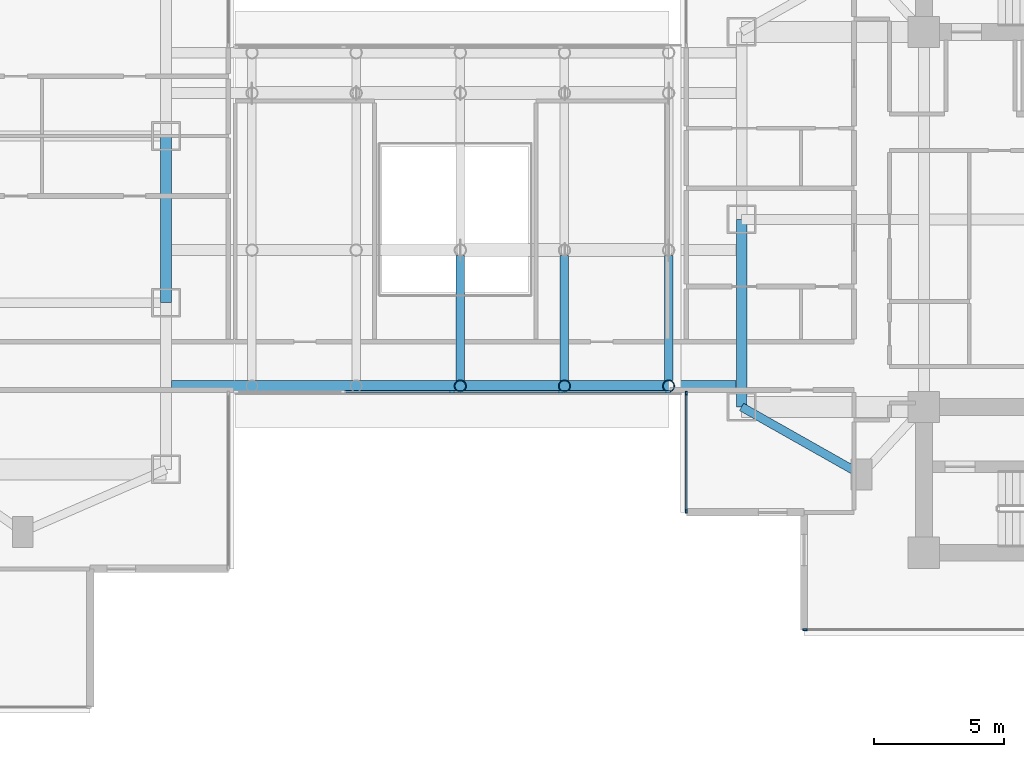
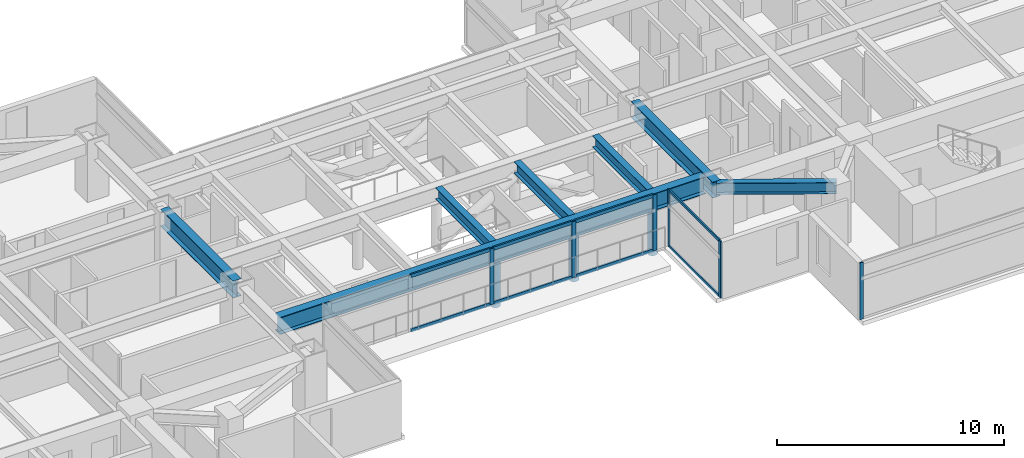
# One storey, part 5 of 27: 17 members, 7 beams, 3 elements without a shape of their own.
"""IFC4 building model written with IfcOpenShell, lengths in metres."""

from ifc_helpers import new_model, si_unit, direction, frame, origin, origin_2d, place, context, subcontext, project, spatial, rectangle, hollow_circle, i_section, extrude, material, material_profile, profile_set, type_object, element, aggregate, save


model = new_model("IFC4")

# Units and contexts
model_context = context("Model", 3, precision=1e-05, world=origin(), true_north=direction((0.0, 1.0)))
body_context = subcontext(model_context, "Body", "Model", "MODEL_VIEW")
ifc_project = project(units=[si_unit("LENGTHUNIT", "METRE"), si_unit("AREAUNIT", "SQUARE_METRE"), si_unit("VOLUMEUNIT", "CUBIC_METRE"), si_unit("PLANEANGLEUNIT", "RADIAN"), si_unit("MASSUNIT", "GRAM", prefix="KILO")], contexts=[model_context])

# Site, building, storey
site_placement = place(None, origin())
site = spatial("IfcSite", under=ifc_project, at=site_placement, CompositionType="ELEMENT")
building_placement = place(site_placement, origin())
building = spatial("IfcBuilding", under=site, at=building_placement, Name="Mirazonda Arch Towers", CompositionType="ELEMENT")
storey_placement = place(building_placement, frame((0.0, 0.0, 95.0)))
storey = spatial("IfcBuildingStorey", under=building, at=storey_placement, Name="L26", CompositionType="ELEMENT", Elevation=95.0)

# Beams
ifc_material_1 = material(Name="Steel ASTM A992 Grade 50", Category="steel")
ifc_material_profile_1 = material_profile(ifc_material_1, i_section(OverallWidth=0.39990234375, OverallDepth=0.85595703125, WebThickness=0.018310546875, FlangeThickness=0.029296875, at=origin_2d()), Name="W33X201")
ifc_profile_set_1 = profile_set([ifc_material_profile_1], Name="Steel ASTM A992 Grade 50")
beam_type_1 = type_object("IfcBeamType", Name="BM-EXT-W33X201", PredefinedType="USERDEFINED", material=ifc_profile_set_1)
beam_1_placement = place(storey_placement, frame((61.0, 20.800048828125, 2.652099609375), z_axis=(0.0, 1.0, 0.0), x_axis=(-1.0, 0.0, 0.0)))
element("IfcBeam", 1, at=beam_1_placement, inside=storey, type_object=beam_type_1, Name="L26 Floor Beam BM-T2-L26-NS-W-20", ObjectType="GIRDER", PredefinedType="USERDEFINED", context=body_context, shape_type="SweptSolid", body=[
    extrude(i_section(OverallWidth=0.39990234375, OverallDepth=0.85595703125, WebThickness=0.018310546875, FlangeThickness=0.029296875, at=origin_2d()), origin(), (0.0, 0.0, 1.0), 7.199951171875),
])
ifc_material_profile_2 = material_profile(ifc_material_1, i_section(OverallWidth=0.41796875, OverallDepth=0.927001953125, WebThickness=0.019287109375, FlangeThickness=0.031982421875, at=origin_2d()), Name="W36X231")
ifc_profile_set_2 = profile_set([ifc_material_profile_2], Name="Steel ASTM A992 Grade 50")
beam_type_2 = type_object("IfcBeamType", Name="BM-EXT-W36X231", PredefinedType="USERDEFINED", material=ifc_profile_set_2)
beam_2_placement = place(storey_placement, frame((38.89990234375, 24.800048828125, 2.616455078125), z_axis=(0.0, 1.0, 0.0), x_axis=(-1.0, 0.0, 0.0)))
element("IfcBeam", 2, at=beam_2_placement, inside=storey, type_object=beam_type_2, Name="L26 Floor Beam BM-T1-L26-NS-E-24", ObjectType="GIRDER", PredefinedType="USERDEFINED", context=body_context, shape_type="SweptSolid", body=[
    extrude(i_section(OverallWidth=0.41796875, OverallDepth=0.927001953125, WebThickness=0.019287109375, FlangeThickness=0.031982421875, at=origin_2d()), origin(), (0.0, 0.0, 1.0), 6.39990234375),
])
beam_3_placement = place(storey_placement, frame((39.10400390625, 21.60009765625, 2.576416015625), z_axis=(1.0, 0.0, 0.0), x_axis=(0.0, 1.0, 0.0)))
element("IfcBeam", 3, at=beam_3_placement, inside=storey, type_object=beam_type_2, Name="L27 Skybridge S Longitudinal Box Girder", ObjectType="GIRDER", PredefinedType="USERDEFINED", context=body_context, shape_type="SweptSolid", body=[
    extrude(i_section(OverallWidth=0.41796875, OverallDepth=0.927001953125, WebThickness=0.019287109375, FlangeThickness=0.031982421875, at=origin_2d()), origin(), (0.0, 0.0, 1.0), 21.69189453125),
])
ifc_material_profile_3 = material_profile(ifc_material_1, i_section(OverallWidth=0.324951171875, OverallDepth=0.615966796875, WebThickness=0.013916015625, FlangeThickness=0.021484375, at=origin_2d()), Name="W24X117")
ifc_profile_set_3 = profile_set([ifc_material_profile_3], Name="Steel ASTM A992 Grade 50")
beam_type_3 = type_object("IfcBeamType", Name="BM-INT-W24X117", PredefinedType="BEAM", material=ifc_profile_set_3)
beam_4_placement = place(storey_placement, frame((65.60009765625, 18.199951171875, 2.77197265625), z_axis=(-0.870559396632, 0.492063346467, 0.0), x_axis=(-0.492063346467, -0.870559396632, 0.0)))
element("IfcBeam", 4, at=beam_4_placement, inside=storey, type_object=beam_type_3, Name="L26 Floor Beam BM-T2-L26-PL-SW2", PredefinedType="BEAM", context=body_context, shape_type="SweptSolid", body=[
    extrude(i_section(OverallWidth=0.324951171875, OverallDepth=0.615966796875, WebThickness=0.013916015625, FlangeThickness=0.021484375, at=origin_2d()), origin(), (0.0, 0.0, 1.0), 5.2841796875),
])
for number, where, z_axis, x_axis, name in (
    (5, (50.199951171875, 21.803955078125, 2.73193359375), (0.0, 1.0, 0.0), (-1.0, 0.0, 0.0), "L26 Floor Beam BM-BRG-L27-XG3A"),
    (6, (54.199951171875, 21.803955078125, 2.73193359375), (0.0, 1.0, 0.0), (-1.0, 0.0, 0.0), "L26 Floor Beam BM-BRG-L27-XG4A"),
    (7, (58.199951171875, 21.803955078125, 2.73193359375), (0.0, 1.0, 0.0), (-1.0, 0.0, 0.0), "L26 Floor Beam BM-BRG-L27-XG5A"),
):
    element("IfcBeam", number, at=place(storey_placement, frame(where, z_axis=z_axis, x_axis=x_axis)), inside=storey, type_object=beam_type_3, Name=name, PredefinedType="BEAM", context=body_context, shape_type="SweptSolid", body=[
        extrude(i_section(OverallWidth=0.324951171875, OverallDepth=0.615966796875, WebThickness=0.013916015625, FlangeThickness=0.021484375, at=origin_2d()), origin(), (0.0, 0.0, 1.0), 4.81201171875),
    ])

# Members
ifc_material_2 = material(Name="Steel ASTM A572 Grade 50", Category="steel")
ifc_material_profile_4 = material_profile(ifc_material_2, hollow_circle(Radius=0.228515625, WallThickness=0.02197265625, at=origin_2d()), Name="BELTSTRUT457x22CHS")
ifc_profile_set_4 = profile_set([ifc_material_profile_4], Name="Steel ASTM A572 Grade 50")
member_type_1 = type_object("IfcMemberType", Name="MBR-EXT-BELTSTRUT457x22CHS", PredefinedType="STRUT", material=ifc_profile_set_4)
for number, where, z_axis, x_axis, name in (
    (8, (50.199951171875, 21.60009765625, -0.2900390625), (0.0, 0.0, 1.0), (1.0, 0.0, 0.0), "L26 Skybridge S Vierendeel Post 3"),
    (9, (54.199951171875, 21.60009765625, -0.2900390625), (0.0, 0.0, 1.0), (1.0, 0.0, 0.0), "L26 Skybridge S Vierendeel Post 4"),
    (10, (58.199951171875, 21.60009765625, -0.2900390625), (0.0, 0.0, 1.0), (1.0, 0.0, 0.0), "L26 Skybridge S Vierendeel Post 5"),
):
    element("IfcMember", number, at=place(storey_placement, frame(where, z_axis=z_axis, x_axis=x_axis)), inside=storey, type_object=member_type_1, Name=name, PredefinedType="STRUT", context=body_context, shape_type="SweptSolid", body=[
        extrude(hollow_circle(Radius=0.228515625, WallThickness=0.02197265625, at=origin_2d()), origin(), (0.0, 0.0, 1.0), 2.4130859375),
    ])

# Curtain wall, members
ifc_material_3 = material(Name="Anodised Aluminium and Low-E Glass", Category="aluminium")
curtain_wall_type_1 = type_object("IfcCurtainWallType", Name="CW-BRG-LINK", PredefinedType="NOTDEFINED", material=ifc_material_3)
curtain_wall_1_placement = place(storey_placement, origin())
curtain_wall_1 = element("IfcCurtainWall", 11, at=curtain_wall_1_placement, inside=storey, type_object=curtain_wall_type_1, Name="L26 Skybridge South Glazing CW-L26-BRG-S", PredefinedType="NOTDEFINED")
ifc_material_4 = material(Name="Anodised Aluminium Alloy", Category="aluminium")
ifc_material_profile_5 = material_profile(ifc_material_4, rectangle(XDim=0.0849609375, YDim=0.199951171875, at=origin_2d()), Name="ALU-MULL-85x200")
ifc_profile_set_5 = profile_set([ifc_material_profile_5], Name="Anodised Aluminium Alloy")
member_type_2 = type_object("IfcMemberType", Name="MULL-CW-BRG-LINK", PredefinedType="MULLION", material=ifc_profile_set_5)
member_1_placement = place(storey_placement, frame((58.1689453125, 21.3798828125, 0.0), z_axis=(0.0, 0.0, 1.0), x_axis=(0.0, -1.0, 0.0)))
member_1 = element("IfcMember", 12, at=member_1_placement, type_object=member_type_2, Name="CW-103 mullion 1", PredefinedType="MULLION", context=body_context, shape_type="SweptSolid", body=[
    extrude(rectangle(XDim=0.0849609375, YDim=0.199951171875, at=origin_2d()), origin(), (0.0, 0.0, 1.0), 3.02001953125),
])
member_2_placement = place(storey_placement, frame((54.046142578125, 21.3798828125, 0.0), z_axis=(0.0, 0.0, 1.0), x_axis=(0.0, -1.0, 0.0)))
member_2 = element("IfcMember", 13, at=member_2_placement, type_object=member_type_2, Name="CW-103 mullion 2", PredefinedType="MULLION", context=body_context, shape_type="SweptSolid", body=[
    extrude(rectangle(XDim=0.0849609375, YDim=0.199951171875, at=origin_2d()), origin(), (0.0, 0.0, 1.0), 3.02001953125),
])
member_3_placement = place(storey_placement, frame((49.880859375, 21.3798828125, 0.0), z_axis=(0.0, 0.0, 1.0), x_axis=(0.0, -1.0, 0.0)))
member_3 = element("IfcMember", 14, at=member_3_placement, type_object=member_type_2, Name="CW-103 mullion 3", PredefinedType="MULLION", context=body_context, shape_type="SweptSolid", body=[
    extrude(rectangle(XDim=0.0849609375, YDim=0.199951171875, at=origin_2d()), origin(), (0.0, 0.0, 1.0), 3.02001953125),
])

# Curtain wall, member
curtain_wall_type_2 = type_object("IfcCurtainWallType", Name="CW-HTL-UNIT", PredefinedType="NOTDEFINED", material=ifc_material_3)
curtain_wall_2_placement = place(storey_placement, origin())
curtain_wall_2 = element("IfcCurtainWall", 15, at=curtain_wall_2_placement, inside=storey, type_object=curtain_wall_type_2, Name="L26 T2 S Facade CW-L26-T2-S", PredefinedType="NOTDEFINED")
ifc_material_profile_6 = material_profile(ifc_material_4, rectangle(XDim=0.074951171875, YDim=0.1650390625, at=origin_2d()), Name="ALU-MULL-75x165")
ifc_profile_set_6 = profile_set([ifc_material_profile_6], Name="Anodised Aluminium Alloy")
member_type_3 = type_object("IfcMemberType", Name="MULL-CW-HTL-UNIT", PredefinedType="MULLION", material=ifc_profile_set_6)
member_4_placement = place(storey_placement, frame((63.435302734375, 12.23583984375, 0.0), z_axis=(0.0, 0.0, 1.0), x_axis=(0.0, -1.0, 0.0)))
member_4 = element("IfcMember", 16, at=member_4_placement, type_object=member_type_3, Name="CW-112 mullion 4", PredefinedType="MULLION", context=body_context, shape_type="SweptSolid", body=[
    extrude(rectangle(XDim=0.074951171875, YDim=0.1650390625, at=origin_2d()), origin(), (0.0, 0.0, 1.0), 3.06005859375),
])
aggregate(curtain_wall_2, [member_4])

# Curtain wall, members
curtain_wall_3_placement = place(storey_placement, origin())
curtain_wall_3 = element("IfcCurtainWall", 17, at=curtain_wall_3_placement, inside=storey, type_object=curtain_wall_type_2, Name="L26 Curtain Wall CW-L26-T2-W2", PredefinedType="NOTDEFINED")
member_5_placement = place(storey_placement, frame((58.881591796875, 21.322509765625, 0.0), z_axis=(0.0, 0.0, 1.0), x_axis=(1.0, 0.0, 0.0)))
member_5 = element("IfcMember", 18, at=member_5_placement, type_object=member_type_3, Name="CW-112 mullion 1", PredefinedType="MULLION", context=body_context, shape_type="SweptSolid", body=[
    extrude(rectangle(XDim=0.074951171875, YDim=0.1650390625, at=origin_2d()), origin(), (0.0, 0.0, 1.0), 3.06005859375),
])
member_6_placement = place(storey_placement, frame((58.881591796875, 16.789794921875, 0.0), z_axis=(0.0, 0.0, 1.0), x_axis=(1.0, 0.0, 0.0)))
member_6 = element("IfcMember", 19, at=member_6_placement, type_object=member_type_3, Name="CW-112 mullion 2", PredefinedType="MULLION", context=body_context, shape_type="SweptSolid", body=[
    extrude(rectangle(XDim=0.074951171875, YDim=0.1650390625, at=origin_2d()), origin(), (0.0, 0.0, 1.0), 3.06005859375),
])

# Member
ifc_material_profile_7 = material_profile(ifc_material_4, rectangle(XDim=0.0849609375, YDim=0.179931640625, at=origin_2d()), Name="ALU-TRAN-85x180")
ifc_profile_set_7 = profile_set([ifc_material_profile_7], Name="Anodised Aluminium Alloy")
member_type_4 = type_object("IfcMemberType", Name="TRAN-CW-BRG-LINK", PredefinedType="USERDEFINED", material=ifc_profile_set_7)
member_7_placement = place(storey_placement, frame((58.12646484375, 21.3798828125, 0.04248046875), z_axis=(-1.0, 0.0, 0.0), x_axis=(0.0, -1.0, 0.0)))
member_7 = element("IfcMember", 20, at=member_7_placement, type_object=member_type_4, Name="CW-103 transom 1.1", ObjectType="TRANSOM", PredefinedType="USERDEFINED", context=body_context, shape_type="SweptSolid", body=[
    extrude(rectangle(XDim=0.0849609375, YDim=0.179931640625, at=origin_2d()), origin(), (0.0, 0.0, 1.0), 4.037841796875),
])

member_8_placement = place(storey_placement, frame((58.12646484375, 21.3798828125, 2.9775390625), z_axis=(-1.0, 0.0, 0.0), x_axis=(0.0, -1.0, 0.0)))
member_8 = element("IfcMember", 21, at=member_8_placement, type_object=member_type_4, Name="CW-103 transom 1.2", ObjectType="TRANSOM", PredefinedType="USERDEFINED", context=body_context, shape_type="SweptSolid", body=[
    extrude(rectangle(XDim=0.0849609375, YDim=0.179931640625, at=origin_2d()), origin(), (0.0, 0.0, 1.0), 4.037841796875),
])

member_9_placement = place(storey_placement, frame((54.003662109375, 21.3798828125, 0.04248046875), z_axis=(-1.0, 0.0, 0.0), x_axis=(0.0, -1.0, 0.0)))
member_9 = element("IfcMember", 22, at=member_9_placement, type_object=member_type_4, Name="CW-103 transom 2.1", ObjectType="TRANSOM", PredefinedType="USERDEFINED", context=body_context, shape_type="SweptSolid", body=[
    extrude(rectangle(XDim=0.0849609375, YDim=0.179931640625, at=origin_2d()), origin(), (0.0, 0.0, 1.0), 4.080322265625),
])

member_10_placement = place(storey_placement, frame((54.003662109375, 21.3798828125, 2.9775390625), z_axis=(-1.0, 0.0, 0.0), x_axis=(0.0, -1.0, 0.0)))
member_10 = element("IfcMember", 23, at=member_10_placement, type_object=member_type_4, Name="CW-103 transom 2.2", ObjectType="TRANSOM", PredefinedType="USERDEFINED", context=body_context, shape_type="SweptSolid", body=[
    extrude(rectangle(XDim=0.0849609375, YDim=0.179931640625, at=origin_2d()), origin(), (0.0, 0.0, 1.0), 4.080322265625),
])

member_11_placement = place(storey_placement, frame((49.838134765625, 21.3798828125, 0.04248046875), z_axis=(-1.0, 0.0, 0.0), x_axis=(0.0, -1.0, 0.0)))
member_11 = element("IfcMember", 24, at=member_11_placement, type_object=member_type_4, Name="CW-103 transom 3.1", ObjectType="TRANSOM", PredefinedType="USERDEFINED", context=body_context, shape_type="SweptSolid", body=[
    extrude(rectangle(XDim=0.0849609375, YDim=0.179931640625, at=origin_2d()), origin(), (0.0, 0.0, 1.0), 4.080322265625),
])

member_12_placement = place(storey_placement, frame((49.838134765625, 21.3798828125, 2.9775390625), z_axis=(-1.0, 0.0, 0.0), x_axis=(0.0, -1.0, 0.0)))
member_12 = element("IfcMember", 25, at=member_12_placement, type_object=member_type_4, Name="CW-103 transom 3.2", ObjectType="TRANSOM", PredefinedType="USERDEFINED", context=body_context, shape_type="SweptSolid", body=[
    extrude(rectangle(XDim=0.0849609375, YDim=0.179931640625, at=origin_2d()), origin(), (0.0, 0.0, 1.0), 4.080322265625),
])

aggregate(curtain_wall_1, [member_1, member_2, member_3, member_7, member_8, member_9, member_10, member_11, member_12])

ifc_material_profile_8 = material_profile(ifc_material_4, rectangle(XDim=0.074951171875, YDim=0.14501953125, at=origin_2d()), Name="ALU-TRAN-75x145")
ifc_profile_set_8 = profile_set([ifc_material_profile_8], Name="Anodised Aluminium Alloy")
member_type_5 = type_object("IfcMemberType", Name="TRAN-CW-HTL-UNIT", PredefinedType="USERDEFINED", material=ifc_profile_set_8)
member_13_placement = place(storey_placement, frame((58.881591796875, 21.284912109375, 0.03759765625), z_axis=(0.0, -1.0, 0.0), x_axis=(1.0, 0.0, 0.0)))
member_13 = element("IfcMember", 26, at=member_13_placement, type_object=member_type_5, Name="CW-112 transom 1.1", ObjectType="TRANSOM", PredefinedType="USERDEFINED", context=body_context, shape_type="SweptSolid", body=[
    extrude(rectangle(XDim=0.074951171875, YDim=0.14501953125, at=origin_2d()), origin(), (0.0, 0.0, 1.0), 4.457763671875),
])

member_14_placement = place(storey_placement, frame((58.881591796875, 21.284912109375, 3.0224609375), z_axis=(0.0, -1.0, 0.0), x_axis=(1.0, 0.0, 0.0)))
member_14 = element("IfcMember", 27, at=member_14_placement, type_object=member_type_5, Name="CW-112 transom 1.2", ObjectType="TRANSOM", PredefinedType="USERDEFINED", context=body_context, shape_type="SweptSolid", body=[
    extrude(rectangle(XDim=0.074951171875, YDim=0.14501953125, at=origin_2d()), origin(), (0.0, 0.0, 1.0), 4.457763671875),
])

aggregate(curtain_wall_3, [member_5, member_6, member_13, member_14])

save(model, "model.ifc")
